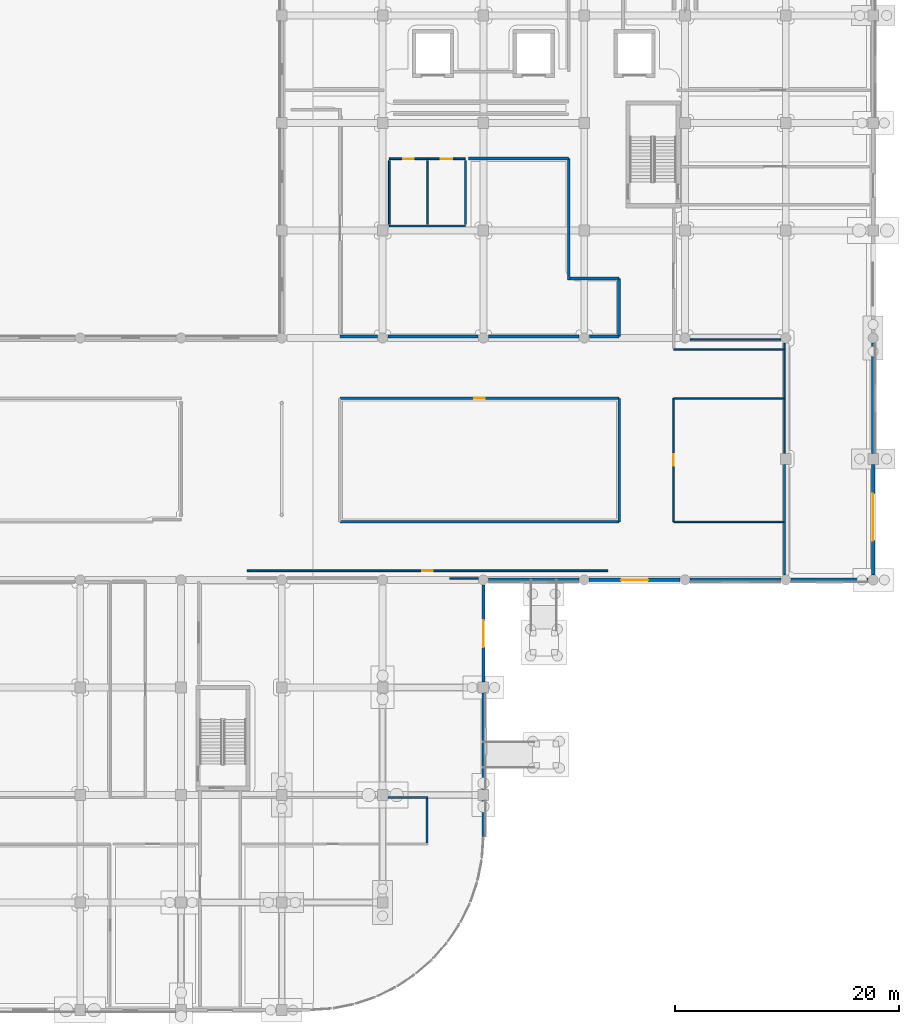
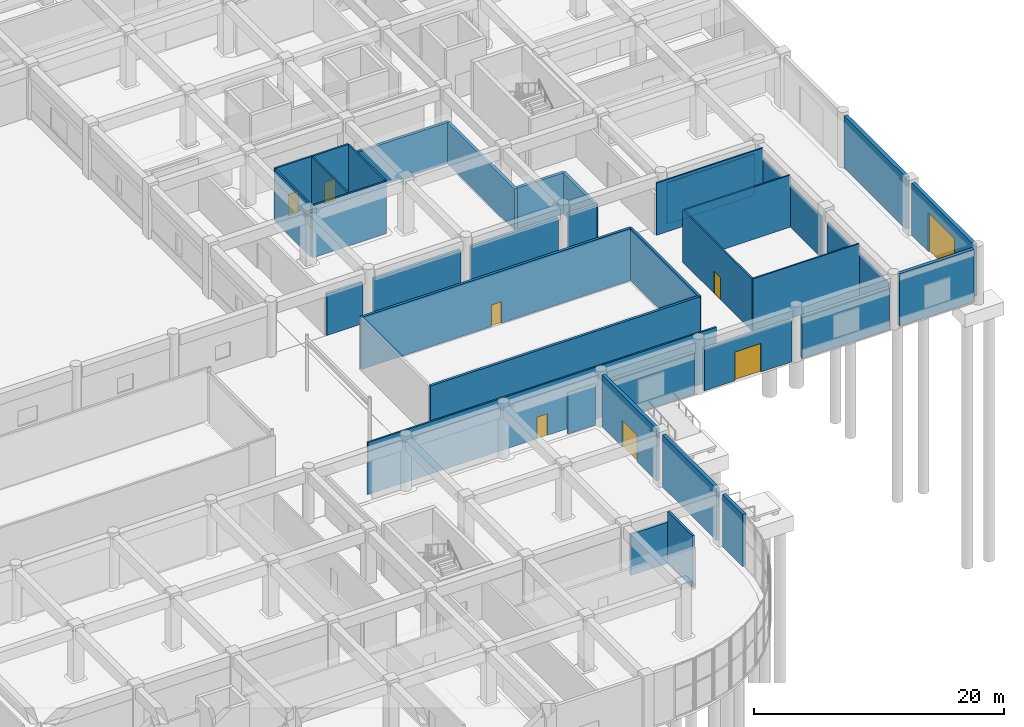
# One storey, part 38 of 74: 37 walls, 8 doors, 8 openings.
"""IFC4 building model written with IfcOpenShell, lengths in metres."""

from ifc_helpers import new_model, si_unit, direction, frame, frame_2d, origin, place, context, subcontext, project, spatial, rectangle, extrude, material, layer, layer_set, type_object, element, fill, save


model = new_model("IFC4")

# Units and contexts
model_context = context("Model", 3, precision=1e-05, world=origin(), true_north=direction((0.0, 1.0)))
body_context = subcontext(model_context, "Body", "Model", "MODEL_VIEW")
ifc_project = project(units=[si_unit("LENGTHUNIT", "METRE"), si_unit("AREAUNIT", "SQUARE_METRE"), si_unit("VOLUMEUNIT", "CUBIC_METRE"), si_unit("PLANEANGLEUNIT", "RADIAN"), si_unit("MASSUNIT", "GRAM", prefix="KILO")], contexts=[model_context])

# Site, building, storey
site_placement = place(None, origin())
site = spatial("IfcSite", under=ifc_project, at=site_placement, CompositionType="ELEMENT")
building_placement = place(site_placement, origin())
building = spatial("IfcBuilding", under=site, at=building_placement, Name="Cendralis Terraced Arcade", CompositionType="ELEMENT")
storey_placement = place(building_placement, origin())
storey = spatial("IfcBuildingStorey", under=building, at=storey_placement, Name="L00", CompositionType="ELEMENT", Elevation=0.0)

# Walls
ifc_material_1 = material(Name="Gypsum plasterboard acoustic partition", Category="concrete")
ifc_layer_1 = layer(ifc_material_1, 0.195068359375, Name="WL-ACOU-195")
ifc_layer_set_1 = layer_set([ifc_layer_1], Name="Gypsum plasterboard acoustic partition")
wall_type_1 = type_object("IfcWallType", Name="WL-ACOU-195", PredefinedType="PARTITIONING", material=ifc_layer_set_1)
wall_1_placement = place(storey_placement, frame((134.2724609375, 18.97998046875, 0.0), z_axis=(0.0, 0.0, 1.0), x_axis=(-1.0, 0.0, 0.0)))
element("IfcWall", 1, at=wall_1_placement, inside=storey, type_object=wall_type_1, Name="Interior Partition Wall IW-L00-0293", PredefinedType="PARTITIONING", context=body_context, shape_type="SweptSolid", body=[
    extrude(rectangle(XDim=3.577392578125, YDim=0.195068359375, at=frame_2d((1.78857421875, 0.0))), origin(), (0.0, 0.0, 1.0), 4.030029296875),
])
ifc_layer_2 = layer(ifc_material_1, 0.205078125, Name="WL-ACOU-205")
ifc_layer_set_2 = layer_set([ifc_layer_2], Name="Gypsum plasterboard acoustic partition")
wall_type_2 = type_object("IfcWallType", Name="WL-ACOU-205", PredefinedType="PARTITIONING", material=ifc_layer_set_2)
wall_2_placement = place(storey_placement, frame((151.320068359375, 54.6201171875, 0.0), z_axis=(0.0, 0.0, 1.0), x_axis=(0.0, -1.0, 0.0)))
element("IfcWall", 2, at=wall_2_placement, inside=storey, type_object=wall_type_2, Name="Interior Partition Wall IW-L00-0250", PredefinedType="PARTITIONING", context=body_context, shape_type="SweptSolid", body=[
    extrude(rectangle(XDim=11.0400390625, YDim=0.205078125, at=frame_2d((5.52001953125, 0.0))), origin(), (0.0, 0.0, 1.0), 5.090087890625),
])
ifc_material_2 = material(Name="Autoclaved aerated concrete blockwork", Category="masonry")
ifc_layer_3 = layer(ifc_material_2, 0.221923828125, Name="WL-ACOU-222")
ifc_layer_set_3 = layer_set([ifc_layer_3], Name="Autoclaved aerated concrete blockwork")
wall_type_3 = type_object("IfcWallType", Name="WL-ACOU-222", PredefinedType="PARTITIONING", material=ifc_layer_set_3)
wall_3_placement = place(storey_placement, frame((151.320068359375, 43.580078125, 0.0), z_axis=(0.0, 0.0, 1.0), x_axis=(-1.0, 0.0, 0.0)))
element("IfcWall", 3, at=wall_3_placement, inside=storey, type_object=wall_type_3, Name="Interior Partition Wall IW-L00-0248", PredefinedType="PARTITIONING", context=body_context, shape_type="SweptSolid", body=[
    extrude(rectangle(XDim=24.940185546875, YDim=0.221923828125, at=frame_2d((12.47021484375, 0.0))), origin(), (0.0, 0.0, 1.0), 5.090087890625),
])

# Wall, opening, door
ifc_layer_4 = layer(ifc_material_2, 0.22802734375, Name="WL-ACOU-228")
ifc_layer_set_4 = layer_set([ifc_layer_4], Name="Autoclaved aerated concrete blockwork")
wall_type_4 = type_object("IfcWallType", Name="WL-ACOU-228", PredefinedType="PARTITIONING", material=ifc_layer_set_4)
wall_4_placement = place(storey_placement, frame((126.3798828125, 54.6201171875, 0.0), z_axis=(0.0, 0.0, 1.0), x_axis=(1.0, 0.0, 0.0)))
wall_4 = element("IfcWall", 4, at=wall_4_placement, inside=storey, type_object=wall_type_4, Name="Interior Partition Wall IW-L00-0247", PredefinedType="PARTITIONING", context=body_context, shape_type="SweptSolid", body=[
    extrude(rectangle(XDim=24.940185546875, YDim=0.22802734375, at=frame_2d((12.47021484375, 0.0))), origin(), (0.0, 0.0, 1.0), 5.090087890625),
])
opening_1_placement = place(wall_4_placement, frame((12.010009765625, 0.0, 0.0)))
opening_1 = element("IfcOpeningElement", 5, at=opening_1_placement, cuts=wall_4, Name="Opening D-L00-072", PredefinedType="OPENING", context=body_context, shape_type="SweptSolid", body=[
    extrude(rectangle(XDim=0.919921875, YDim=2.10009765625, at=frame_2d((0.4599609375, 1.050048828125))), frame((0.0, 0.1259765625, 0.0), z_axis=(0.0, -1.0, 0.0), x_axis=(1.0, 0.0, 0.0)), (0.0, 0.0, 1.0), 0.251953125),
])
ifc_material_3 = material(Name="Solid core Andean oak veneer door leaf", Category="aluminium")
door_type_1 = type_object("IfcDoorType", Name="ID-RM-0920x2100", OperationType="NOTDEFINED", PredefinedType="DOOR", material=ifc_material_3)
door_1_placement = place(opening_1_placement, origin())
door_1 = element("IfcDoor", 6, at=door_1_placement, inside=storey, type_object=door_type_1, Name="Glass-Roofed Shopping Arcade Boutiques - East Arcade Door D-L00-072", OperationType="SINGLE_SWING_RIGHT", OverallHeight=2.10009765625, OverallWidth=0.919921875, PredefinedType="DOOR", context=body_context, shape_type="SweptSolid", body=[
    extrude(rectangle(XDim=0.919921875, YDim=2.10009765625, at=frame_2d((0.4599609375, 1.050048828125))), frame((0.0, 0.02490234375, 0.0), z_axis=(0.0, -1.0, 0.0), x_axis=(1.0, 0.0, 0.0)), (0.0, 0.0, 1.0), 0.050048828125),
])
fill(opening_1, door_1)

# Wall
ifc_material_4 = material(Name="Precast concrete f'c 40 MPa", Category="concrete")
ifc_layer_5 = layer(ifc_material_4, 0.320068359375, Name="WL-EXT-GRC-320")
ifc_layer_set_5 = layer_set([ifc_layer_5], Name="Precast concrete f'c 40 MPa")
wall_type_5 = type_object("IfcWallType", Name="WL-EXT-GRC-320", PredefinedType="SOLIDWALL", material=ifc_layer_set_5)
wall_5_placement = place(storey_placement, frame((174.0, 59.552001953125, 0.0), z_axis=(0.0, 0.0, 1.0), x_axis=(0.0, -1.0, 0.0)))
element("IfcWall", 7, at=wall_5_placement, inside=storey, type_object=wall_type_5, Name="Exterior Architectural Wall EW-L00-0053", PredefinedType="SOLIDWALL", context=body_context, shape_type="SweptSolid", body=[
    extrude(rectangle(XDim=9.87890625, YDim=0.320068359375, at=frame_2d((4.939453125, 0.0))), origin(), (0.0, 0.0, 1.0), 5.090087890625),
])

# Wall, opening, door
wall_6_placement = place(storey_placement, frame((174.0, 48.72509765625, 0.0), z_axis=(0.0, 0.0, 1.0), x_axis=(0.0, -1.0, 0.0)))
wall_6 = element("IfcWall", 8, at=wall_6_placement, inside=storey, type_object=wall_type_5, Name="Exterior Architectural Wall EW-L00-0054", PredefinedType="SOLIDWALL", context=body_context, shape_type="SweptSolid", body=[
    extrude(rectangle(XDim=9.875, YDim=0.320068359375, at=frame_2d((4.9375, 0.0))), origin(), (0.0, 0.0, 1.0), 5.090087890625),
])
opening_2_placement = place(wall_6_placement, frame((2.625, 0.0, 0.0)))
opening_2 = element("IfcOpeningElement", 9, at=opening_2_placement, cuts=wall_6, Name="Opening GD-01", PredefinedType="OPENING", context=body_context, shape_type="SweptSolid", body=[
    extrude(rectangle(XDim=4.199951171875, YDim=3.800048828125, at=frame_2d((2.10009765625, 1.89990234375))), frame((0.0, 0.171875, 0.0), z_axis=(0.0, -1.0, 0.0), x_axis=(1.0, 0.0, 0.0)), (0.0, 0.0, 1.0), 0.343994140625),
])
ifc_material_5 = material(Name="Galvanised insulated steel roller shutter", Category="steel")
door_type_2 = type_object("IfcDoorType", Name="ED-DOCK-4200x4200", OperationType="ROLLINGUP", PredefinedType="DOOR", material=ifc_material_5)
door_2_placement = place(opening_2_placement, origin())
door_2 = element("IfcDoor", 10, at=door_2_placement, inside=storey, type_object=door_type_2, Name="Loading Dock Roller Shutter Door GD-01", OperationType="ROLLINGUP", OverallHeight=3.800048828125, OverallWidth=4.199951171875, PredefinedType="DOOR", context=body_context, shape_type="SweptSolid", body=[
    extrude(rectangle(XDim=4.199951171875, YDim=3.800048828125, at=frame_2d((2.10009765625, 1.89990234375))), frame((0.0, 0.02490234375, 0.0), z_axis=(0.0, -1.0, 0.0), x_axis=(1.0, 0.0, 0.0)), (0.0, 0.0, 1.0), 0.050048828125),
])
fill(opening_2, door_2)

# Walls
wall_7_placement = place(storey_placement, frame((173.552001953125, 38.39990234375, 0.0), z_axis=(0.0, 0.0, 1.0), x_axis=(-1.0, 0.0, 0.0)))
element("IfcWall", 11, at=wall_7_placement, inside=storey, type_object=wall_type_5, Name="Exterior Architectural Wall EW-L00-0055", PredefinedType="SOLIDWALL", context=body_context, shape_type="SweptSolid", body=[
    extrude(rectangle(XDim=6.904052734375, YDim=0.320068359375, at=frame_2d((3.4521484375, 0.0))), origin(), (0.0, 0.0, 1.0), 5.090087890625),
])
wall_8_placement = place(storey_placement, frame((165.751953125, 38.39990234375, 0.0), z_axis=(0.0, 0.0, 1.0), x_axis=(-1.0, 0.0, 0.0)))
element("IfcWall", 12, at=wall_8_placement, inside=storey, type_object=wall_type_5, Name="Exterior Architectural Wall EW-L00-0056", PredefinedType="SOLIDWALL", context=body_context, shape_type="SweptSolid", body=[
    extrude(rectangle(XDim=8.10400390625, YDim=0.320068359375, at=frame_2d((4.052001953125, 0.0))), origin(), (0.0, 0.0, 1.0), 4.030029296875),
])

# Wall, opening, door
wall_9_placement = place(storey_placement, frame((156.75, 38.39990234375, 0.0), z_axis=(0.0, 0.0, 1.0), x_axis=(-1.0, 0.0, 0.0)))
wall_9 = element("IfcWall", 13, at=wall_9_placement, inside=storey, type_object=wall_type_5, Name="Exterior Architectural Wall EW-L00-0057", PredefinedType="SOLIDWALL", context=body_context, shape_type="SweptSolid", body=[
    extrude(rectangle(XDim=8.10009765625, YDim=0.320068359375, at=frame_2d((4.050048828125, 0.0))), origin(), (0.0, 0.0, 1.0), 4.030029296875),
])
opening_3_placement = place(wall_9_placement, frame((2.85009765625, 0.0, 0.0)))
opening_3 = element("IfcOpeningElement", 14, at=opening_3_placement, cuts=wall_9, Name="Opening EX-16", PredefinedType="OPENING", context=body_context, shape_type="SweptSolid", body=[
    extrude(rectangle(XDim=2.39990234375, YDim=2.800048828125, at=frame_2d((1.199951171875, 1.39990234375))), frame((0.0, 0.171875, 0.0), z_axis=(0.0, -1.0, 0.0), x_axis=(1.0, 0.0, 0.0)), (0.0, 0.0, 1.0), 0.343994140625),
])
ifc_material_6 = material(Name="Powder-coated thermally broken aluminium and glass", Category="aluminium")
door_type_3 = type_object("IfcDoorType", Name="ED-PORTAL-2400x2800", OperationType="DOUBLE_DOOR_SINGLE_SWING", PredefinedType="DOOR", material=ifc_material_6)
door_3_placement = place(opening_3_placement, origin())
door_3 = element("IfcDoor", 15, at=door_3_placement, inside=storey, type_object=door_type_3, Name="East Arcade South Portal Entrance EX-16", OperationType="DOUBLE_DOOR_SINGLE_SWING", OverallHeight=2.800048828125, OverallWidth=2.39990234375, PredefinedType="DOOR", context=body_context, shape_type="SweptSolid", body=[
    extrude(rectangle(XDim=2.39990234375, YDim=2.800048828125, at=frame_2d((1.199951171875, 1.39990234375))), frame((0.0, 0.02490234375, 0.0), z_axis=(0.0, -1.0, 0.0), x_axis=(1.0, 0.0, 0.0)), (0.0, 0.0, 1.0), 0.050048828125),
])
fill(opening_3, door_3)

# Wall
wall_10_placement = place(storey_placement, frame((147.751953125, 38.39990234375, 0.0), z_axis=(0.0, 0.0, 1.0), x_axis=(-1.0, 0.0, 0.0)))
element("IfcWall", 16, at=wall_10_placement, inside=storey, type_object=wall_type_5, Name="Exterior Architectural Wall EW-L00-0058", PredefinedType="SOLIDWALL", context=body_context, shape_type="SweptSolid", body=[
    extrude(rectangle(XDim=8.10400390625, YDim=0.320068359375, at=frame_2d((4.052001953125, 0.0))), origin(), (0.0, 0.0, 1.0), 4.030029296875),
])

# Wall, opening, door
ifc_material_7 = material(Name="Terracotta clay masonry", Category="masonry")
ifc_layer_6 = layer(ifc_material_7, 0.2900390625, Name="WL-EXT-TER-290")
ifc_layer_set_6 = layer_set([ifc_layer_6], Name="Terracotta clay masonry")
wall_type_6 = type_object("IfcWallType", Name="WL-EXT-TER-290", PredefinedType="SOLIDWALL", material=ifc_layer_set_6)
wall_11_placement = place(storey_placement, frame((139.199951171875, 37.949951171875, 0.0), z_axis=(0.0, 0.0, 1.0), x_axis=(0.0, -1.0, 0.0)))
wall_11 = element("IfcWall", 17, at=wall_11_placement, inside=storey, type_object=wall_type_6, Name="Exterior Architectural Wall EW-L00-0059", PredefinedType="SOLIDWALL", context=body_context, shape_type="SweptSolid", body=[
    extrude(rectangle(XDim=8.675048828125, YDim=0.2900390625, at=frame_2d((4.33740234375, 0.0))), origin(), (0.0, 0.0, 1.0), 5.090087890625),
])
opening_4_placement = place(wall_11_placement, frame((3.14990234375, 0.0, 0.0)))
opening_4 = element("IfcOpeningElement", 18, at=opening_4_placement, cuts=wall_11, Name="Opening EX-15", PredefinedType="OPENING", context=body_context, shape_type="SweptSolid", body=[
    extrude(rectangle(XDim=2.39990234375, YDim=2.60009765625, at=frame_2d((1.199951171875, 1.300048828125))), frame((0.0, 0.156982421875, 0.0), z_axis=(0.0, -1.0, 0.0), x_axis=(1.0, 0.0, 0.0)), (0.0, 0.0, 1.0), 0.31396484375),
])
door_type_4 = type_object("IfcDoorType", Name="ED-MAIN-2200x2600", OperationType="DOUBLE_DOOR_SINGLE_SWING", PredefinedType="DOOR", material=ifc_material_6)
door_4_placement = place(opening_4_placement, origin())
door_4 = element("IfcDoor", 19, at=door_4_placement, inside=storey, type_object=door_type_4, Name="Southeast Plaza Food Hall Entrance EX-15", OperationType="DOUBLE_DOOR_SINGLE_SWING", OverallHeight=2.60009765625, OverallWidth=2.39990234375, PredefinedType="DOOR", context=body_context, shape_type="SweptSolid", body=[
    extrude(rectangle(XDim=2.39990234375, YDim=2.60009765625, at=frame_2d((1.199951171875, 1.300048828125))), frame((0.0, 0.02490234375, 0.0), z_axis=(0.0, -1.0, 0.0), x_axis=(1.0, 0.0, 0.0)), (0.0, 0.0, 1.0), 0.050048828125),
])
fill(opening_4, door_4)

# Walls
wall_12_placement = place(storey_placement, frame((139.199951171875, 28.326904296875, 0.0), z_axis=(0.0, 0.0, 1.0), x_axis=(0.0, -1.0, 0.0)))
element("IfcWall", 20, at=wall_12_placement, inside=storey, type_object=wall_type_6, Name="Exterior Architectural Wall EW-L00-0060", PredefinedType="SOLIDWALL", context=body_context, shape_type="SweptSolid", body=[
    extrude(rectangle(XDim=8.65380859375, YDim=0.2900390625, at=frame_2d((4.326904296875, 0.0))), origin(), (0.0, 0.0, 1.0), 5.090087890625),
])
wall_13_placement = place(storey_placement, frame((139.199951171875, 18.72705078125, 0.0), z_axis=(0.0, 0.0, 1.0), x_axis=(0.0, -1.0, 0.0)))
element("IfcWall", 21, at=wall_13_placement, inside=storey, type_object=wall_type_6, Name="Exterior Architectural Wall EW-L00-0061", PredefinedType="SOLIDWALL", context=body_context, shape_type="SweptSolid", body=[
    extrude(rectangle(XDim=3.22705078125, YDim=0.2900390625, at=frame_2d((1.613525390625, 0.0))), origin(), (0.0, 0.0, 1.0), 5.090087890625),
])
ifc_layer_7 = layer(ifc_material_2, 0.260009765625, Name="WL-FIRE-260")
ifc_layer_set_7 = layer_set([ifc_layer_7], Name="Autoclaved aerated concrete blockwork")
wall_type_7 = type_object("IfcWallType", Name="WL-FIRE-260", PredefinedType="PARTITIONING", material=ifc_layer_set_7)
wall_14_placement = place(storey_placement, frame((146.820068359375, 76.02001953125, 0.0), z_axis=(0.0, 0.0, 1.0), x_axis=(0.0, -1.0, 0.0)))
element("IfcWall", 22, at=wall_14_placement, inside=storey, type_object=wall_type_7, Name="Interior Partition Wall IW-L00-0320", PredefinedType="PARTITIONING", context=body_context, shape_type="SweptSolid", body=[
    extrude(rectangle(XDim=10.830078125, YDim=0.260009765625, at=frame_2d((5.4150390625, 0.0))), origin(), (0.0, 0.0, 1.0), 4.030029296875),
])
wall_15_placement = place(storey_placement, frame((137.85888671875, 76.02001953125, 0.0), z_axis=(0.0, 0.0, 1.0), x_axis=(1.0, 0.0, 0.0)))
element("IfcWall", 23, at=wall_15_placement, inside=storey, type_object=wall_type_7, Name="Interior Partition Wall IW-L00-0321", PredefinedType="PARTITIONING", context=body_context, shape_type="SweptSolid", body=[
    extrude(rectangle(XDim=8.961181640625, YDim=0.260009765625, at=frame_2d((4.48046875, 0.0))), origin(), (0.0, 0.0, 1.0), 4.030029296875),
])
wall_16_placement = place(storey_placement, frame((151.320068359375, 65.320068359375, 0.0), z_axis=(0.0, 0.0, 1.0), x_axis=(0.0, -1.0, 0.0)))
element("IfcWall", 24, at=wall_16_placement, inside=storey, type_object=wall_type_7, Name="Interior Partition Wall IW-L00-0322", PredefinedType="PARTITIONING", context=body_context, shape_type="SweptSolid", body=[
    extrude(rectangle(XDim=5.199951171875, YDim=0.260009765625, at=frame_2d((2.60009765625, 0.0))), origin(), (0.0, 0.0, 1.0), 4.030029296875),
])
wall_17_placement = place(storey_placement, frame((146.949951171875, 65.320068359375, 0.0), z_axis=(0.0, 0.0, 1.0), x_axis=(1.0, 0.0, 0.0)))
element("IfcWall", 25, at=wall_17_placement, inside=storey, type_object=wall_type_7, Name="Interior Partition Wall IW-L00-0323", PredefinedType="PARTITIONING", context=body_context, shape_type="SweptSolid", body=[
    extrude(rectangle(XDim=4.3701171875, YDim=0.260009765625, at=frame_2d((2.18505859375, 0.0))), origin(), (0.0, 0.0, 1.0), 4.030029296875),
])
wall_18_placement = place(storey_placement, frame((129.72998046875, 60.1201171875, 0.0), z_axis=(0.0, 0.0, 1.0), x_axis=(-1.0, 0.0, 0.0)))
element("IfcWall", 26, at=wall_18_placement, inside=storey, type_object=wall_type_7, Name="Interior Partition Wall IW-L00-0325", PredefinedType="PARTITIONING", context=body_context, shape_type="SweptSolid", body=[
    extrude(rectangle(XDim=3.35009765625, YDim=0.260009765625, at=frame_2d((1.675048828125, 0.0))), origin(), (0.0, 0.0, 1.0), 4.030029296875),
])
wall_19_placement = place(storey_placement, frame((151.320068359375, 60.1201171875, 0.0), z_axis=(0.0, 0.0, 1.0), x_axis=(-1.0, 0.0, 0.0)))
element("IfcWall", 27, at=wall_19_placement, inside=storey, type_object=wall_type_7, Name="Interior Partition Wall IW-L00-0326", PredefinedType="PARTITIONING", context=body_context, shape_type="SweptSolid", body=[
    extrude(rectangle(XDim=2.650146484375, YDim=0.260009765625, at=frame_2d((1.3251953125, 0.0))), origin(), (0.0, 0.0, 1.0), 4.030029296875),
])
for number, where, z_axis, x_axis, name in (
    (28, (138.72998046875, 60.1201171875, 0.0), (0.0, 0.0, 1.0), (-1.0, 0.0, 0.0), "Interior Partition Wall IW-L00-0327"),
    (29, (147.72998046875, 60.1201171875, 0.0), (0.0, 0.0, 1.0), (-1.0, 0.0, 0.0), "Interior Partition Wall IW-L00-0328"),
):
    element("IfcWall", number, at=place(storey_placement, frame(where, z_axis=z_axis, x_axis=x_axis)), inside=storey, type_object=wall_type_7, Name=name, PredefinedType="PARTITIONING", context=body_context, shape_type="SweptSolid", body=[
        extrude(rectangle(XDim=8.06005859375, YDim=0.260009765625, at=frame_2d((4.030029296875, 0.0))), origin(), (0.0, 0.0, 1.0), 4.030029296875),
    ])
ifc_layer_8 = layer(ifc_material_1, 0.117919921875, Name="WL-PART-118")
ifc_layer_set_8 = layer_set([ifc_layer_8], Name="Gypsum plasterboard acoustic partition")
wall_type_8 = type_object("IfcWallType", Name="WL-PART-118", PredefinedType="PARTITIONING", material=ifc_layer_set_8)
wall_20_placement = place(storey_placement, frame((157.669921875, 59.8798828125, 0.0), z_axis=(0.0, 0.0, 1.0), x_axis=(1.0, 0.0, 0.0)))
element("IfcWall", 30, at=wall_20_placement, inside=storey, type_object=wall_type_8, Name="Interior Partition Wall IW-L00-0244", PredefinedType="PARTITIONING", context=body_context, shape_type="SweptSolid", body=[
    extrude(rectangle(XDim=8.06005859375, YDim=0.117919921875, at=frame_2d((4.030029296875, 0.0))), origin(), (0.0, 0.0, 1.0), 4.030029296875),
])
ifc_layer_9 = layer(ifc_material_1, 0.1220703125, Name="WL-PART-122")
ifc_layer_set_9 = layer_set([ifc_layer_9], Name="Gypsum plasterboard acoustic partition")
wall_type_9 = type_object("IfcWallType", Name="WL-PART-122", PredefinedType="PARTITIONING", material=ifc_layer_set_9)
wall_21_placement = place(storey_placement, frame((138.72998046875, 38.52001953125, 0.0), z_axis=(0.0, 0.0, 1.0), x_axis=(-1.0, 0.0, 0.0)))
element("IfcWall", 31, at=wall_21_placement, inside=storey, type_object=wall_type_9, Name="Interior Partition Wall IW-L00-0243", PredefinedType="PARTITIONING", context=body_context, shape_type="SweptSolid", body=[
    extrude(rectangle(XDim=2.55029296875, YDim=0.1220703125, at=frame_2d((1.275146484375, 0.0))), origin(), (0.0, 0.0, 1.0), 4.030029296875),
])
ifc_layer_10 = layer(ifc_material_1, 0.1259765625, Name="WL-PART-126")
ifc_layer_set_10 = layer_set([ifc_layer_10], Name="Gypsum plasterboard acoustic partition")
wall_type_10 = type_object("IfcWallType", Name="WL-PART-126", PredefinedType="PARTITIONING", material=ifc_layer_set_10)
wall_22_placement = place(storey_placement, frame((166.010986328125, 58.97998046875, 0.0), z_axis=(0.0, 0.0, 1.0), x_axis=(-1.0, 0.0, 0.0)))
element("IfcWall", 32, at=wall_22_placement, inside=storey, type_object=wall_type_10, Name="Interior Partition Wall IW-L00-0242", PredefinedType="PARTITIONING", context=body_context, shape_type="SweptSolid", body=[
    extrude(rectangle(XDim=9.8310546875, YDim=0.1259765625, at=frame_2d((4.91552734375, 0.0))), origin(), (0.0, 0.0, 1.0), 5.090087890625),
])
ifc_layer_11 = layer(ifc_material_1, 0.1298828125, Name="WL-PART-130")
ifc_layer_set_11 = layer_set([ifc_layer_11], Name="Gypsum plasterboard acoustic partition")
wall_type_11 = type_object("IfcWallType", Name="WL-PART-130", PredefinedType="PARTITIONING", material=ifc_layer_set_11)
wall_23_placement = place(storey_placement, frame((134.199951171875, 70.14990234375, 0.0), z_axis=(0.0, 0.0, 1.0), x_axis=(0.0, 1.0, 0.0)))
element("IfcWall", 33, at=wall_23_placement, inside=storey, type_object=wall_type_11, Name="Restroom Enclosure Partition IW-WC-L00-0019", PredefinedType="PARTITIONING", context=body_context, shape_type="SweptSolid", body=[
    extrude(rectangle(XDim=5.7001953125, YDim=0.1298828125, at=frame_2d((2.85009765625, 0.0))), origin(), (0.0, 0.0, 1.0), 5.090087890625),
])
wall_24_placement = place(storey_placement, frame((166.009033203125, 43.580078125, 0.0), z_axis=(0.0, 0.0, 1.0), x_axis=(-1.0, 0.0, 0.0)))
element("IfcWall", 34, at=wall_24_placement, inside=storey, type_object=wall_type_11, Name="Interior Partition Wall IW-L00-0241", PredefinedType="PARTITIONING", context=body_context, shape_type="SweptSolid", body=[
    extrude(rectangle(XDim=9.8291015625, YDim=0.1298828125, at=frame_2d((4.91455078125, 0.0))), origin(), (0.0, 0.0, 1.0), 5.090087890625),
])
ifc_layer_12 = layer(ifc_material_1, 0.134033203125, Name="WL-PART-134")
ifc_layer_set_12 = layer_set([ifc_layer_12], Name="Gypsum plasterboard acoustic partition")
wall_type_12 = type_object("IfcWallType", Name="WL-PART-134", PredefinedType="PARTITIONING", material=ifc_layer_set_12)
wall_25_placement = place(storey_placement, frame((156.179931640625, 54.6201171875, 0.0), z_axis=(0.0, 0.0, 1.0), x_axis=(1.0, 0.0, 0.0)))
element("IfcWall", 35, at=wall_25_placement, inside=storey, type_object=wall_type_12, Name="Interior Partition Wall IW-L00-0240", PredefinedType="PARTITIONING", context=body_context, shape_type="SweptSolid", body=[
    extrude(rectangle(XDim=9.8310546875, YDim=0.134033203125, at=frame_2d((4.91552734375, 0.0))), origin(), (0.0, 0.0, 1.0), 5.090087890625),
])
ifc_layer_13 = layer(ifc_material_1, 0.137939453125, Name="WL-PART-138")
ifc_layer_set_13 = layer_set([ifc_layer_13], Name="Gypsum plasterboard acoustic partition")
wall_type_13 = type_object("IfcWallType", Name="WL-PART-138", PredefinedType="PARTITIONING", material=ifc_layer_set_13)
wall_26_placement = place(storey_placement, frame((166.080078125, 59.530029296875, 0.0), z_axis=(0.0, 0.0, 1.0), x_axis=(0.0, -1.0, 0.0)))
element("IfcWall", 36, at=wall_26_placement, inside=storey, type_object=wall_type_13, Name="Interior Partition Wall IW-L00-0239", PredefinedType="PARTITIONING", context=body_context, shape_type="SweptSolid", body=[
    extrude(rectangle(XDim=9.8349609375, YDim=0.137939453125, at=frame_2d((4.91748046875, 0.0))), origin(), (0.0, 0.0, 1.0), 4.030029296875),
])
ifc_layer_14 = layer(ifc_material_1, 0.14208984375, Name="WL-PART-142")
ifc_layer_set_14 = layer_set([ifc_layer_14], Name="Gypsum plasterboard acoustic partition")
wall_type_14 = type_object("IfcWallType", Name="WL-PART-142", PredefinedType="PARTITIONING", material=ifc_layer_set_14)
wall_27_placement = place(storey_placement, frame((166.080078125, 48.705078125, 0.0), z_axis=(0.0, 0.0, 1.0), x_axis=(0.0, -1.0, 0.0)))
element("IfcWall", 37, at=wall_27_placement, inside=storey, type_object=wall_type_14, Name="Interior Partition Wall IW-L00-0238", PredefinedType="PARTITIONING", context=body_context, shape_type="SweptSolid", body=[
    extrude(rectangle(XDim=9.8349609375, YDim=0.14208984375, at=frame_2d((4.91748046875, 0.0))), origin(), (0.0, 0.0, 1.0), 4.030029296875),
])

# Wall, opening, door
ifc_layer_15 = layer(ifc_material_1, 0.14501953125, Name="WL-PART-145")
ifc_layer_set_15 = layer_set([ifc_layer_15], Name="Gypsum plasterboard acoustic partition")
wall_type_15 = type_object("IfcWallType", Name="WL-PART-145", PredefinedType="PARTITIONING", material=ifc_layer_set_15)
wall_28_placement = place(storey_placement, frame((156.179931640625, 43.580078125, 0.0), z_axis=(0.0, 0.0, 1.0), x_axis=(0.0, 1.0, 0.0)))
wall_28 = element("IfcWall", 38, at=wall_28_placement, inside=storey, type_object=wall_type_15, Name="Interior Partition Wall IW-L00-0237", PredefinedType="PARTITIONING", context=body_context, shape_type="SweptSolid", body=[
    extrude(rectangle(XDim=11.0400390625, YDim=0.14501953125, at=frame_2d((5.52001953125, 0.0))), origin(), (0.0, 0.0, 1.0), 5.090087890625),
])
opening_5_placement = place(wall_28_placement, frame((5.0048828125, 0.0, 0.0)))
opening_5 = element("IfcOpeningElement", 39, at=opening_5_placement, cuts=wall_28, Name="Opening D-L00-175", PredefinedType="OPENING", context=body_context, shape_type="SweptSolid", body=[
    extrude(rectangle(XDim=1.030029296875, YDim=2.159912109375, at=frame_2d((0.51513671875, 1.080078125))), frame((0.0, 0.08447265625, 0.0), z_axis=(0.0, -1.0, 0.0), x_axis=(1.0, 0.0, 0.0)), (0.0, 0.0, 1.0), 0.1689453125),
])
door_type_5 = type_object("IfcDoorType", Name="ID-RM-1030x2160", OperationType="NOTDEFINED", PredefinedType="DOOR", material=ifc_material_3)
door_5_placement = place(opening_5_placement, origin())
door_5 = element("IfcDoor", 40, at=door_5_placement, inside=storey, type_object=door_type_5, Name="Glass-Roofed Shopping Arcade Boutiques - East Arcade Door D-L00-175", OperationType="SINGLE_SWING_RIGHT", OverallHeight=2.159912109375, OverallWidth=1.030029296875, PredefinedType="DOOR", context=body_context, shape_type="SweptSolid", body=[
    extrude(rectangle(XDim=1.030029296875, YDim=2.159912109375, at=frame_2d((0.51513671875, 1.080078125))), frame((0.0, 0.02490234375, 0.0), z_axis=(0.0, -1.0, 0.0), x_axis=(1.0, 0.0, 0.0)), (0.0, 0.0, 1.0), 0.050048828125),
])
fill(opening_5, door_5)

ifc_layer_16 = layer(ifc_material_1, 0.14990234375, Name="WL-PART-150")
ifc_layer_set_16 = layer_set([ifc_layer_16], Name="Gypsum plasterboard acoustic partition")
wall_type_16 = type_object("IfcWallType", Name="WL-PART-150", PredefinedType="PARTITIONING", material=ifc_layer_set_16)
wall_29_placement = place(storey_placement, frame((118.1201171875, 39.219970703125, 0.0), z_axis=(0.0, 0.0, 1.0), x_axis=(1.0, 0.0, 0.0)))
wall_29 = element("IfcWall", 41, at=wall_29_placement, inside=storey, type_object=wall_type_16, Name="Interior Partition Wall IW-L00-0236", PredefinedType="PARTITIONING", context=body_context, shape_type="SweptSolid", body=[
    extrude(rectangle(XDim=32.18505859375, YDim=0.14990234375, at=frame_2d((16.092529296875, 0.0))), origin(), (0.0, 0.0, 1.0), 5.090087890625),
])
opening_6_placement = place(wall_29_placement, frame((15.61767578125, 0.0, 0.0)))
opening_6 = element("IfcOpeningElement", 42, at=opening_6_placement, cuts=wall_29, Name="Opening D-L00-071", PredefinedType="OPENING", context=body_context, shape_type="SweptSolid", body=[
    extrude(rectangle(XDim=0.949951171875, YDim=2.10009765625, at=frame_2d((0.47509765625, 1.050048828125))), frame((0.0, 0.0869140625, 0.0), z_axis=(0.0, -1.0, 0.0), x_axis=(1.0, 0.0, 0.0)), (0.0, 0.0, 1.0), 0.173828125),
])
door_type_6 = type_object("IfcDoorType", Name="ID-RM-0950x2100", OperationType="NOTDEFINED", PredefinedType="DOOR", material=ifc_material_3)
door_6_placement = place(opening_6_placement, origin())
door_6 = element("IfcDoor", 43, at=door_6_placement, inside=storey, type_object=door_type_6, Name="Glass-Roofed Shopping Arcade Boutiques - East Arcade Door D-L00-071", OperationType="SINGLE_SWING_LEFT", OverallHeight=2.10009765625, OverallWidth=0.949951171875, PredefinedType="DOOR", context=body_context, shape_type="SweptSolid", body=[
    extrude(rectangle(XDim=0.949951171875, YDim=2.10009765625, at=frame_2d((0.47509765625, 1.050048828125))), frame((0.0, 0.02490234375, 0.0), z_axis=(0.0, -1.0, 0.0), x_axis=(1.0, 0.0, 0.0)), (0.0, 0.0, 1.0), 0.050048828125),
])
fill(opening_6, door_6)

# Walls
ifc_layer_17 = layer(ifc_material_1, 0.159912109375, Name="WL-PART-160")
ifc_layer_set_17 = layer_set([ifc_layer_17], Name="Gypsum plasterboard acoustic partition")
wall_type_17 = type_object("IfcWallType", Name="WL-PART-160", PredefinedType="PARTITIONING", material=ifc_layer_set_17)
wall_30_placement = place(storey_placement, frame((130.800048828125, 70.0, 0.0), z_axis=(0.0, 0.0, 1.0), x_axis=(1.0, 0.0, 0.0)))
element("IfcWall", 44, at=wall_30_placement, inside=storey, type_object=wall_type_17, Name="Restroom Enclosure Partition IW-WC-L00-0017", PredefinedType="PARTITIONING", context=body_context, shape_type="SweptSolid", body=[
    extrude(rectangle(XDim=6.800048828125, YDim=0.159912109375, at=frame_2d((3.39990234375, 0.0))), origin(), (0.0, 0.0, 1.0), 5.090087890625),
])
for number, where, z_axis, x_axis, name in (
    (45, (130.800048828125, 70.14990234375, 0.0), (0.0, 0.0, 1.0), (0.0, 1.0, 0.0), "Restroom Enclosure Partition IW-WC-L00-0018"),
    (46, (137.60009765625, 70.14990234375, 0.0), (0.0, 0.0, 1.0), (0.0, 1.0, 0.0), "Restroom Enclosure Partition IW-WC-L00-0020"),
):
    element("IfcWall", number, at=place(storey_placement, frame(where, z_axis=z_axis, x_axis=x_axis)), inside=storey, type_object=wall_type_17, Name=name, PredefinedType="PARTITIONING", context=body_context, shape_type="SweptSolid", body=[
        extrude(rectangle(XDim=5.7001953125, YDim=0.159912109375, at=frame_2d((2.85009765625, 0.0))), origin(), (0.0, 0.0, 1.0), 5.090087890625),
    ])

# Wall, opening, door
wall_31_placement = place(storey_placement, frame((130.800048828125, 76.0, 0.0), z_axis=(0.0, 0.0, 1.0), x_axis=(1.0, 0.0, 0.0)))
wall_31 = element("IfcWall", 47, at=wall_31_placement, inside=storey, type_object=wall_type_17, Name="Restroom Enclosure Partition IW-WC-L00-0021", PredefinedType="PARTITIONING", context=body_context, shape_type="SweptSolid", body=[
    extrude(rectangle(XDim=3.39990234375, YDim=0.159912109375, at=frame_2d((1.699951171875, 0.0))), origin(), (0.0, 0.0, 1.0), 5.090087890625),
])
opening_7_placement = place(wall_31_placement, frame((1.22509765625, 0.0, 0.0)))
opening_7 = element("IfcOpeningElement", 48, at=opening_7_placement, cuts=wall_31, Name="Opening D-WC-L00-007", PredefinedType="OPENING", context=body_context, shape_type="SweptSolid", body=[
    extrude(rectangle(XDim=0.949951171875, YDim=2.080078125, at=frame_2d((0.47509765625, 1.0400390625))), frame((0.0, 0.091796875, 0.0), z_axis=(0.0, -1.0, 0.0), x_axis=(1.0, 0.0, 0.0)), (0.0, 0.0, 1.0), 0.183837890625),
])
door_type_7 = type_object("IfcDoorType", Name="ID-WC-0950x2080", OperationType="NOTDEFINED", PredefinedType="DOOR", material=ifc_material_3)
door_7_placement = place(opening_7_placement, origin())
door_7 = element("IfcDoor", 49, at=door_7_placement, inside=storey, type_object=door_type_7, Name="East Restroom Door (L00)", OperationType="SINGLE_SWING_RIGHT", OverallHeight=2.080078125, OverallWidth=0.949951171875, PredefinedType="DOOR", context=body_context, shape_type="SweptSolid", body=[
    extrude(rectangle(XDim=0.949951171875, YDim=2.080078125, at=frame_2d((0.47509765625, 1.0400390625))), frame((0.0, 0.02490234375, 0.0), z_axis=(0.0, -1.0, 0.0), x_axis=(1.0, 0.0, 0.0)), (0.0, 0.0, 1.0), 0.050048828125),
])
fill(opening_7, door_7)

wall_32_placement = place(storey_placement, frame((134.199951171875, 76.0, 0.0), z_axis=(0.0, 0.0, 1.0), x_axis=(1.0, 0.0, 0.0)))
wall_32 = element("IfcWall", 50, at=wall_32_placement, inside=storey, type_object=wall_type_17, Name="Restroom Enclosure Partition IW-WC-L00-0022", PredefinedType="PARTITIONING", context=body_context, shape_type="SweptSolid", body=[
    extrude(rectangle(XDim=3.400146484375, YDim=0.159912109375, at=frame_2d((1.7001953125, 0.0))), origin(), (0.0, 0.0, 1.0), 5.090087890625),
])
opening_8_placement = place(wall_32_placement, frame((1.18994140625, 0.0, 0.0)))
opening_8 = element("IfcOpeningElement", 51, at=opening_8_placement, cuts=wall_32, Name="Opening D-WC-L00-008", PredefinedType="OPENING", context=body_context, shape_type="SweptSolid", body=[
    extrude(rectangle(XDim=1.02001953125, YDim=2.1201171875, at=frame_2d((0.510009765625, 1.06005859375))), frame((0.0, 0.091796875, 0.0), z_axis=(0.0, -1.0, 0.0), x_axis=(1.0, 0.0, 0.0)), (0.0, 0.0, 1.0), 0.183837890625),
])
door_type_8 = type_object("IfcDoorType", Name="ID-AWC-1020x2120", OperationType="NOTDEFINED", PredefinedType="DOOR", material=ifc_material_3)
door_8_placement = place(opening_8_placement, origin())
door_8 = element("IfcDoor", 52, at=door_8_placement, inside=storey, type_object=door_type_8, Name="East Accessible WC Door (L00)", OperationType="SINGLE_SWING_LEFT", OverallHeight=2.1201171875, OverallWidth=1.02001953125, PredefinedType="DOOR", context=body_context, shape_type="SweptSolid", body=[
    extrude(rectangle(XDim=1.02001953125, YDim=2.1201171875, at=frame_2d((0.510009765625, 1.06005859375))), frame((0.0, 0.02490234375, 0.0), z_axis=(0.0, -1.0, 0.0), x_axis=(1.0, 0.0, 0.0)), (0.0, 0.0, 1.0), 0.050048828125),
])
fill(opening_8, door_8)

# Wall
ifc_layer_18 = layer(ifc_material_1, 0.18505859375, Name="WL-PART-185")
ifc_layer_set_18 = layer_set([ifc_layer_18], Name="Gypsum plasterboard acoustic partition")
wall_type_18 = type_object("IfcWallType", Name="WL-PART-185", PredefinedType="PARTITIONING", material=ifc_layer_set_18)
wall_33_placement = place(storey_placement, frame((134.179931640625, 14.925048828125, 0.0), z_axis=(0.0, 0.0, 1.0), x_axis=(0.0, 1.0, 0.0)))
element("IfcWall", 53, at=wall_33_placement, inside=storey, type_object=wall_type_18, Name="Interior Partition Wall IW-L00-0295", PredefinedType="PARTITIONING", context=body_context, shape_type="SweptSolid", body=[
    extrude(rectangle(XDim=3.95751953125, YDim=0.18505859375, at=frame_2d((1.978759765625, 0.0))), origin(), (0.0, 0.0, 1.0), 5.090087890625),
])

save(model, "model.ifc")
